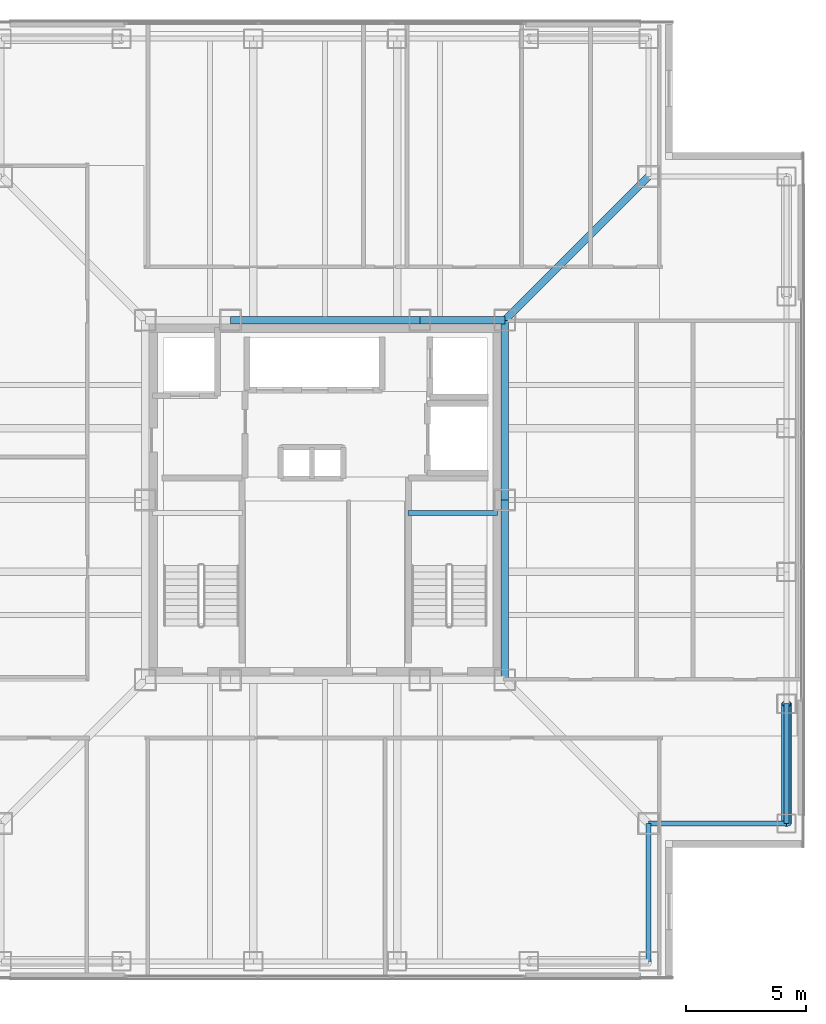
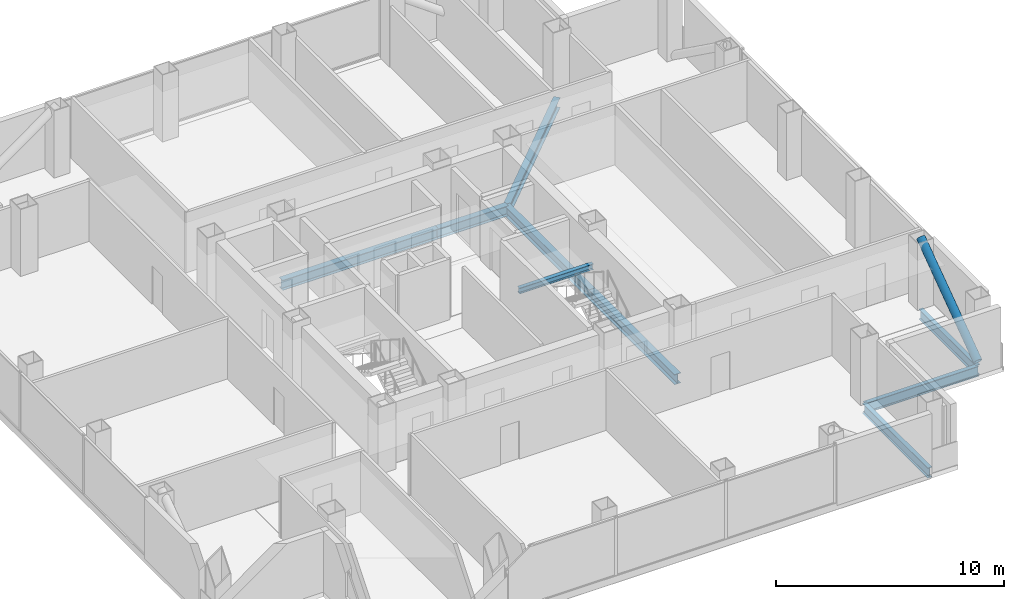
# One storey, part 5 of 16: 9 beams, 1 member.
"""IFC4 building model written with IfcOpenShell, lengths in metres."""

from ifc_helpers import new_model, si_unit, direction, frame, origin, origin_2d, place, context, subcontext, project, spatial, hollow_circle, i_section, extrude, material, material_profile, profile_set, type_object, element, save


model = new_model("IFC4")

# Units and contexts
model_context = context("Model", 3, precision=1e-05, world=origin(), true_north=direction((0.0, 1.0)))
body_context = subcontext(model_context, "Body", "Model", "MODEL_VIEW")
ifc_project = project(units=[si_unit("LENGTHUNIT", "METRE"), si_unit("AREAUNIT", "SQUARE_METRE"), si_unit("VOLUMEUNIT", "CUBIC_METRE"), si_unit("PLANEANGLEUNIT", "RADIAN"), si_unit("MASSUNIT", "GRAM", prefix="KILO")], contexts=[model_context])

# Site, building, storey
site_placement = place(None, origin())
site = spatial("IfcSite", under=ifc_project, at=site_placement, CompositionType="ELEMENT")
building_placement = place(site_placement, origin())
building = spatial("IfcBuilding", under=site, at=building_placement, Name="Trevonay Congress Spire", CompositionType="ELEMENT")
storey_placement = place(building_placement, frame((0.0, 0.0, 223.800048828125)))
storey = spatial("IfcBuildingStorey", under=building, at=storey_placement, Name="L58", CompositionType="ELEMENT", Elevation=223.800048828125)

# Beams
ifc_material_1 = material(Name="Steel ASTM A572 Grade 50", Category="steel")
ifc_material_profile_1 = material_profile(ifc_material_1, i_section(OverallWidth=0.31201171875, OverallDepth=0.54296875, WebThickness=0.0126953125, FlangeThickness=0.020263671875, FilletRadius=0.014892578125, at=origin_2d()), Name="W530x150")
ifc_profile_set_1 = profile_set([ifc_material_profile_1], Name="Steel ASTM A572 Grade 50")
beam_type_1 = type_object("IfcBeamType", Name="BM-GIRD-W530X150", PredefinedType="BEAM", material=ifc_profile_set_1)
beam_1_placement = place(storey_placement, frame((-3.949951171875, 7.5, -0.511474609375), z_axis=(1.0, 0.0, 0.0), x_axis=(0.0, 1.0, 0.0)))
element("IfcBeam", 1, at=beam_1_placement, inside=storey, type_object=beam_type_1, Name="L58 structural beam BM-L58-CR-N2", PredefinedType="BEAM", context=body_context, shape_type="SweptSolid", body=[
    extrude(i_section(OverallWidth=0.31201171875, OverallDepth=0.54296875, WebThickness=0.0126953125, FlangeThickness=0.020263671875, FilletRadius=0.014892578125, at=origin_2d()), origin(), (0.0, 0.0, 1.0), 7.89990234375),
])
beam_2_placement = place(storey_placement, frame((3.949951171875, 7.5, -0.511474609375), z_axis=(1.0, 0.0, 0.0), x_axis=(0.0, 1.0, 0.0)))
element("IfcBeam", 2, at=beam_2_placement, inside=storey, type_object=beam_type_1, Name="L58 structural beam BM-L58-CR-N3", PredefinedType="BEAM", context=body_context, shape_type="SweptSolid", body=[
    extrude(i_section(OverallWidth=0.31201171875, OverallDepth=0.54296875, WebThickness=0.0126953125, FlangeThickness=0.020263671875, FilletRadius=0.014892578125, at=origin_2d()), origin(), (0.0, 0.0, 1.0), 3.550048828125),
])
for number, where, z_axis, x_axis, name in (
    (3, (7.5, -7.5, -0.511474609375), (0.0, 1.0, 0.0), (-1.0, 0.0, 0.0), "L58 structural beam BM-L58-CR-E1"),
    (4, (7.5, 0.0, -0.511474609375), (0.0, 1.0, 0.0), (-1.0, 0.0, 0.0), "L58 structural beam BM-L58-CR-E2"),
):
    element("IfcBeam", number, at=place(storey_placement, frame(where, z_axis=z_axis, x_axis=x_axis)), inside=storey, type_object=beam_type_1, Name=name, PredefinedType="BEAM", context=body_context, shape_type="SweptSolid", body=[
        extrude(i_section(OverallWidth=0.31201171875, OverallDepth=0.54296875, WebThickness=0.0126953125, FlangeThickness=0.020263671875, FilletRadius=0.014892578125, at=origin_2d()), origin(), (0.0, 0.0, 1.0), 7.5),
    ])
beam_3_placement = place(storey_placement, frame((7.5, 7.5, -0.511474609375), z_axis=(0.707106781187, 0.707106781187, 0.0), x_axis=(-0.707106781187, 0.707106781187, 0.0)))
element("IfcBeam", 5, at=beam_3_placement, inside=storey, type_object=beam_type_1, Name="L58 structural beam BM-L58-CDNE", PredefinedType="BEAM", context=body_context, shape_type="SweptSolid", body=[
    extrude(i_section(OverallWidth=0.31201171875, OverallDepth=0.54296875, WebThickness=0.0126953125, FlangeThickness=0.020263671875, FilletRadius=0.014892578125, at=origin_2d()), origin(), (0.0, 0.0, 1.0), 8.4853515625),
])
ifc_material_profile_2 = material_profile(ifc_material_1, i_section(OverallWidth=0.2119140625, OverallDepth=0.5439453125, WebThickness=0.01318359375, FlangeThickness=0.021240234375, FilletRadius=0.014892578125, at=origin_2d()), Name="W530x123")
ifc_profile_set_2 = profile_set([ifc_material_profile_2], Name="Steel ASTM A572 Grade 50")
beam_type_2 = type_object("IfcBeamType", Name="BM-RING-W530X123", PredefinedType="BEAM", material=ifc_profile_set_2)
beam_4_placement = place(storey_placement, frame((19.25, -13.5, -0.511962890625), z_axis=(0.0, 1.0, 0.0), x_axis=(-1.0, 0.0, 0.0)))
element("IfcBeam", 6, at=beam_4_placement, inside=storey, type_object=beam_type_2, Name="L58 structural beam BM-L58-PE1", PredefinedType="BEAM", context=body_context, shape_type="SweptSolid", body=[
    extrude(i_section(OverallWidth=0.2119140625, OverallDepth=0.5439453125, WebThickness=0.01318359375, FlangeThickness=0.021240234375, FilletRadius=0.014892578125, at=origin_2d()), origin(), (0.0, 0.0, 1.0), 5.0),
])
for number, where, z_axis, x_axis, name in (
    (7, (13.5, -19.25, -0.511962890625), (0.0, 1.0, 0.0), (-1.0, 0.0, 0.0), "L58 structural beam BM-L58-N1SE"),
    (8, (19.25, -13.5, -0.511962890625), (-1.0, 0.0, 0.0), (0.0, -1.0, 0.0), "L58 structural beam BM-L58-N2SE"),
):
    element("IfcBeam", number, at=place(storey_placement, frame(where, z_axis=z_axis, x_axis=x_axis)), inside=storey, type_object=beam_type_2, Name=name, PredefinedType="BEAM", context=body_context, shape_type="SweptSolid", body=[
        extrude(i_section(OverallWidth=0.2119140625, OverallDepth=0.5439453125, WebThickness=0.01318359375, FlangeThickness=0.021240234375, FilletRadius=0.014892578125, at=origin_2d()), origin(), (0.0, 0.0, 1.0), 5.75),
    ])
ifc_material_profile_3 = material_profile(ifc_material_1, i_section(OverallWidth=0.2041015625, OverallDepth=0.305908203125, WebThickness=0.008544921875, FlangeThickness=0.0146484375, FilletRadius=0.010986328125, at=origin_2d()), Name="W310x67")
ifc_profile_set_3 = profile_set([ifc_material_profile_3], Name="Steel ASTM A572 Grade 50")
beam_type_3 = type_object("IfcBeamType", Name="LN-CORE-W310X67", PredefinedType="LINTEL", material=ifc_profile_set_3)
beam_5_placement = place(storey_placement, frame((3.449951171875, -0.550048828125, 1.447021484375), z_axis=(1.0, 0.0, 0.0), x_axis=(0.0, 1.0, 0.0)))
element("IfcBeam", 9, at=beam_5_placement, inside=storey, type_object=beam_type_3, Name="L58 structural beam BM-L58-HL-ST2", PredefinedType="LINTEL", context=body_context, shape_type="SweptSolid", body=[
    extrude(i_section(OverallWidth=0.2041015625, OverallDepth=0.305908203125, WebThickness=0.008544921875, FlangeThickness=0.0146484375, FilletRadius=0.010986328125, at=origin_2d()), origin(), (0.0, 0.0, 1.0), 3.75),
])

# Member
ifc_material_2 = material(Name="Steel ASTM A500 Grade C", Category="steel")
ifc_material_profile_4 = material_profile(ifc_material_2, hollow_circle(Radius=0.203125, WallThickness=0.02001953125, at=origin_2d()), Name="CHS 406.4x20")
ifc_profile_set_4 = profile_set([ifc_material_profile_4], Name="Steel ASTM A500 Grade C")
member_type = type_object("IfcMemberType", Name="MBR-TUBE-CHS406", PredefinedType="BRACE", material=ifc_profile_set_4)
member_placement = place(storey_placement, frame((19.25, -13.5, -0.050048828125), z_axis=(0.0, 0.811526825515, 0.584315164504), x_axis=(-1.0, 0.0, 0.0)))
element("IfcMember", 10, at=member_placement, inside=storey, type_object=member_type, Name="L58 perimeter braced-tube diagonal E0", PredefinedType="BRACE", context=body_context, shape_type="SweptSolid", body=[
    extrude(hollow_circle(Radius=0.203125, WallThickness=0.02001953125, at=origin_2d()), origin(), (0.0, 0.0, 1.0), 6.1611328125),
])

save(model, "model.ifc")
